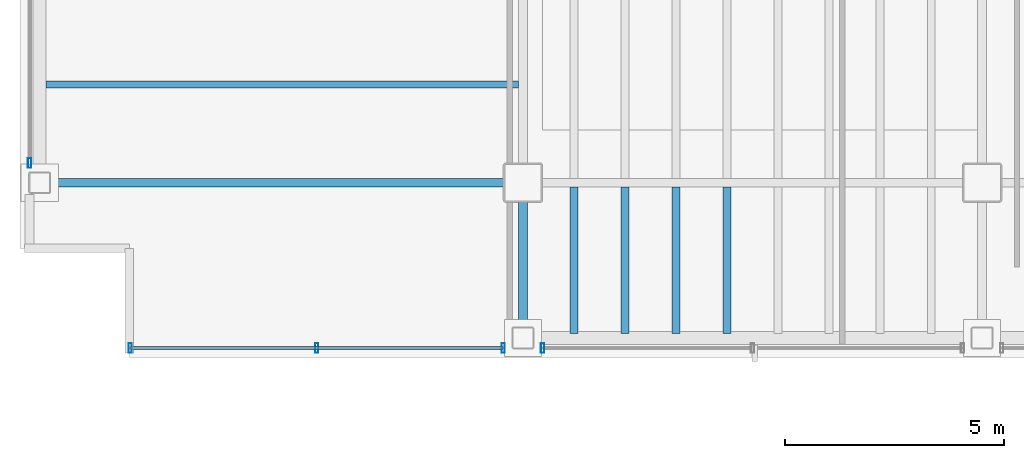
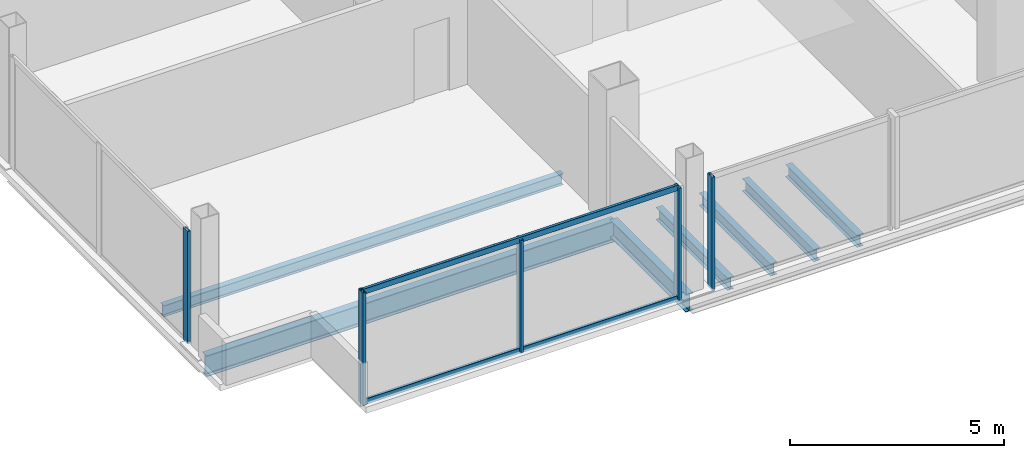
# One storey, part 2 of 19: 7 beams, 7 members, 3 elements without a shape of their own.
"""IFC4 building model written with IfcOpenShell, lengths in metres."""

from ifc_helpers import new_model, si_unit, direction, frame, origin, origin_2d, place, context, subcontext, project, spatial, hollow_rectangle, i_section, extrude, material, material_profile, profile_set, type_object, element, aggregate, save


model = new_model("IFC4")

# Units and contexts
model_context = context("Model", 3, precision=1e-05, world=origin(), true_north=direction((0.0, 1.0)))
body_context = subcontext(model_context, "Body", "Model", "MODEL_VIEW")
ifc_project = project(units=[si_unit("LENGTHUNIT", "METRE"), si_unit("AREAUNIT", "SQUARE_METRE"), si_unit("VOLUMEUNIT", "CUBIC_METRE"), si_unit("PLANEANGLEUNIT", "RADIAN"), si_unit("MASSUNIT", "GRAM", prefix="KILO")], contexts=[model_context])

# Site, building, storey
site_placement = place(None, origin())
site = spatial("IfcSite", under=ifc_project, at=site_placement, CompositionType="ELEMENT")
building_placement = place(site_placement, origin())
building = spatial("IfcBuilding", under=site, at=building_placement, Name="Noeulbin Bourse Tower", CompositionType="ELEMENT")
storey_placement = place(building_placement, frame((0.0, 0.0, 150.0)))
storey = spatial("IfcBuildingStorey", under=building, at=storey_placement, Name="L37", CompositionType="ELEMENT", Elevation=150.0)

# Beams
ifc_material_1 = material(Name="Steel S355", Category="steel")
ifc_material_profile_1 = material_profile(ifc_material_1, i_section(OverallWidth=0.199951171875, OverallDepth=0.5, WebThickness=0.010009765625, FlangeThickness=0.01611328125, FilletRadius=0.02001953125, at=origin_2d()), Name="H-500x200x10x16", Category="LoadBearing")
ifc_profile_set_1 = profile_set([ifc_material_profile_1], Name="Steel S355")
beam_type_1 = type_object("IfcBeamType", Name="BM-GRD-500", PredefinedType="USERDEFINED", material=ifc_profile_set_1)
beam_1_placement = place(storey_placement, frame((13.5, 16.449951171875, -0.429931640625), z_axis=(0.0, 1.0, 0.0), x_axis=(-1.0, 0.0, 0.0)))
element("IfcBeam", 1, at=beam_1_placement, inside=storey, type_object=beam_type_1, Name="Tower Primary Girder NS L37-1.1", ObjectType="GIRDER", PredefinedType="USERDEFINED", context=body_context, shape_type="SweptSolid", body=[
    extrude(i_section(OverallWidth=0.199951171875, OverallDepth=0.5, WebThickness=0.010009765625, FlangeThickness=0.01611328125, FilletRadius=0.02001953125, at=origin_2d()), origin(), (0.0, 0.0, 1.0), 3.550048828125),
])
ifc_material_profile_2 = material_profile(ifc_material_1, i_section(OverallWidth=0.199951171875, OverallDepth=0.60009765625, WebThickness=0.010986328125, FlangeThickness=0.01708984375, FilletRadius=0.02197265625, at=origin_2d()), Name="H-600x200x11x17", Category="LoadBearing")
ifc_profile_set_2 = profile_set([ifc_material_profile_2], Name="Steel S355")
beam_type_2 = type_object("IfcBeamType", Name="BM-GRD-600", PredefinedType="USERDEFINED", material=ifc_profile_set_2)
beam_2_placement = place(storey_placement, frame((2.449951171875, 20.0, -0.47998046875), z_axis=(1.0, 0.0, 0.0), x_axis=(0.0, 1.0, 0.0)))
element("IfcBeam", 2, at=beam_2_placement, inside=storey, type_object=beam_type_2, Name="Tower Primary Girder EW L37-1.1", ObjectType="GIRDER", PredefinedType="USERDEFINED", context=body_context, shape_type="SweptSolid", body=[
    extrude(i_section(OverallWidth=0.199951171875, OverallDepth=0.60009765625, WebThickness=0.010986328125, FlangeThickness=0.01708984375, FilletRadius=0.02197265625, at=origin_2d()), origin(), (0.0, 0.0, 1.0), 11.050048828125),
])
ifc_material_profile_3 = material_profile(ifc_material_1, i_section(OverallWidth=0.159912109375, OverallDepth=0.320068359375, WebThickness=0.006591796875, FlangeThickness=0.010009765625, FilletRadius=0.012939453125, at=origin_2d()), Name="H-320x160x6.5x10", Category="LoadBearing")
ifc_profile_set_3 = profile_set([ifc_material_profile_3], Name="Steel S355")
beam_type_3 = type_object("IfcBeamType", Name="BM-JST-320", PredefinedType="JOIST", material=ifc_profile_set_3)
beam_3_placement = place(storey_placement, frame((2.60009765625, 22.25, -0.340087890625), z_axis=(1.0, 0.0, 0.0), x_axis=(0.0, 1.0, 0.0)))
element("IfcBeam", 3, at=beam_3_placement, inside=storey, type_object=beam_type_3, Name="Wing Composite Joist L37-W70", PredefinedType="JOIST", context=body_context, shape_type="SweptSolid", body=[
    extrude(i_section(OverallWidth=0.159912109375, OverallDepth=0.320068359375, WebThickness=0.006591796875, FlangeThickness=0.010009765625, FilletRadius=0.012939453125, at=origin_2d()), origin(), (0.0, 0.0, 1.0), 10.7998046875),
])
ifc_material_profile_4 = material_profile(ifc_material_1, i_section(OverallWidth=0.175048828125, OverallDepth=0.35009765625, WebThickness=0.007080078125, FlangeThickness=0.010986328125, FilletRadius=0.013916015625, at=origin_2d()), Name="H-350x175x7x11", Category="LoadBearing")
ifc_profile_set_4 = profile_set([ifc_material_profile_4], Name="Steel S355")
beam_type_4 = type_object("IfcBeamType", Name="BM-JST-350", PredefinedType="JOIST", material=ifc_profile_set_4)
for number, where, z_axis, x_axis, name in (
    (4, (14.666748046875, 16.550048828125, -0.35498046875), (0.0, 1.0, 0.0), (-1.0, 0.0, 0.0), "Tower Composite Joist L37-01"),
    (5, (15.833251953125, 16.550048828125, -0.35498046875), (0.0, 1.0, 0.0), (-1.0, 0.0, 0.0), "Tower Composite Joist L37-04"),
    (6, (17.0, 16.550048828125, -0.35498046875), (0.0, 1.0, 0.0), (-1.0, 0.0, 0.0), "Tower Composite Joist L37-07"),
    (7, (18.166748046875, 16.550048828125, -0.35498046875), (0.0, 1.0, 0.0), (-1.0, 0.0, 0.0), "Tower Composite Joist L37-10"),
):
    element("IfcBeam", number, at=place(storey_placement, frame(where, z_axis=z_axis, x_axis=x_axis)), inside=storey, type_object=beam_type_4, Name=name, PredefinedType="JOIST", context=body_context, shape_type="SweptSolid", body=[
        extrude(i_section(OverallWidth=0.175048828125, OverallDepth=0.35009765625, WebThickness=0.007080078125, FlangeThickness=0.010986328125, FilletRadius=0.013916015625, at=origin_2d()), origin(), (0.0, 0.0, 1.0), 3.349853515625),
    ])

# Curtain wall, members
ifc_material_2 = material(Name="Dark Tinted Triple Glazing", Category="glass")
curtain_wall_type = type_object("IfcCurtainWallType", Name="CW-SYS-3", PredefinedType="NOTDEFINED", material=ifc_material_2)
curtain_wall_1_placement = place(storey_placement, origin())
curtain_wall_1 = element("IfcCurtainWall", 8, at=curtain_wall_1_placement, inside=storey, type_object=curtain_wall_type, Name="Unitised Curtain Wall CW-L37-S1-S1", PredefinedType="NOTDEFINED")
ifc_material_3 = material(Name="Anodised Aluminium 6063-T6", Category="aluminium")
ifc_material_profile_5 = material_profile(ifc_material_3, hollow_rectangle(XDim=0.074951171875, YDim=0.219970703125, WallThickness=0.0048828125, InnerFilletRadius=0.00244140625, OuterFilletRadius=0.0048828125, at=origin_2d()), Name="ALU-MULL-75x220x5", Category="LoadBearing")
ifc_profile_set_5 = profile_set([ifc_material_profile_5], Name="Anodised Aluminium 6063-T6")
member_type_1 = type_object("IfcMemberType", Name="CW-SYS-3-MUL", PredefinedType="MULLION", material=ifc_profile_set_5)
member_1_placement = place(storey_placement, frame((4.52001953125, 16.219970703125, -0.02001953125), z_axis=(0.0, 0.0, 1.0), x_axis=(1.0, 0.0, 0.0)))
member_1 = element("IfcMember", 9, at=member_1_placement, type_object=member_type_1, Name="Curtain Wall Mullion CW-L37-S1-S1-M00", PredefinedType="MULLION", context=body_context, shape_type="SweptSolid", body=[
    extrude(hollow_rectangle(XDim=0.074951171875, YDim=0.219970703125, WallThickness=0.0048828125, InnerFilletRadius=0.00244140625, OuterFilletRadius=0.0048828125, at=origin_2d()), origin(), (0.0, 0.0, 1.0), 3.219970703125),
])
member_2_placement = place(storey_placement, frame((8.784912109375, 16.219970703125, -0.02001953125), z_axis=(0.0, 0.0, 1.0), x_axis=(1.0, 0.0, 0.0)))
member_2 = element("IfcMember", 10, at=member_2_placement, type_object=member_type_1, Name="Curtain Wall Mullion CW-L37-S1-S1-M01", PredefinedType="MULLION", context=body_context, shape_type="SweptSolid", body=[
    extrude(hollow_rectangle(XDim=0.074951171875, YDim=0.219970703125, WallThickness=0.0048828125, InnerFilletRadius=0.00244140625, OuterFilletRadius=0.0048828125, at=origin_2d()), origin(), (0.0, 0.0, 1.0), 3.219970703125),
])
member_3_placement = place(storey_placement, frame((13.050048828125, 16.219970703125, -0.02001953125), z_axis=(0.0, 0.0, 1.0), x_axis=(1.0, 0.0, 0.0)))
member_3 = element("IfcMember", 11, at=member_3_placement, type_object=member_type_1, Name="Curtain Wall Mullion CW-L37-S1-S1-M02", PredefinedType="MULLION", context=body_context, shape_type="SweptSolid", body=[
    extrude(hollow_rectangle(XDim=0.074951171875, YDim=0.219970703125, WallThickness=0.0048828125, InnerFilletRadius=0.00244140625, OuterFilletRadius=0.0048828125, at=origin_2d()), origin(), (0.0, 0.0, 1.0), 3.219970703125),
])

# Curtain wall, member
curtain_wall_2_placement = place(storey_placement, origin())
curtain_wall_2 = element("IfcCurtainWall", 12, at=curtain_wall_2_placement, inside=storey, type_object=curtain_wall_type, Name="Unitised Curtain Wall CW-L37-S1-S2", PredefinedType="NOTDEFINED")
member_4_placement = place(storey_placement, frame((13.949951171875, 16.219970703125, -0.02001953125), z_axis=(0.0, 0.0, 1.0), x_axis=(1.0, 0.0, 0.0)))
member_4 = element("IfcMember", 13, at=member_4_placement, type_object=member_type_1, Name="Curtain Wall Mullion CW-L37-S1-S2-M00", PredefinedType="MULLION", context=body_context, shape_type="SweptSolid", body=[
    extrude(hollow_rectangle(XDim=0.074951171875, YDim=0.219970703125, WallThickness=0.0048828125, InnerFilletRadius=0.00244140625, OuterFilletRadius=0.0048828125, at=origin_2d()), origin(), (0.0, 0.0, 1.0), 3.219970703125),
])
aggregate(curtain_wall_2, [member_4])

curtain_wall_3_placement = place(storey_placement, origin())
curtain_wall_3 = element("IfcCurtainWall", 14, at=curtain_wall_3_placement, inside=storey, type_object=curtain_wall_type, Name="Unitised Curtain Wall CW-L37-W-S1", PredefinedType="NOTDEFINED")
member_5_placement = place(storey_placement, frame((2.219970703125, 20.449951171875, -0.02001953125), z_axis=(0.0, 0.0, 1.0), x_axis=(1.0, 0.0, 0.0)))
member_5 = element("IfcMember", 15, at=member_5_placement, type_object=member_type_1, Name="Curtain Wall Mullion CW-L37-W-S1-M00", PredefinedType="MULLION", context=body_context, shape_type="SweptSolid", body=[
    extrude(hollow_rectangle(XDim=0.074951171875, YDim=0.219970703125, WallThickness=0.0048828125, InnerFilletRadius=0.00244140625, OuterFilletRadius=0.0048828125, at=origin_2d()), origin(), (0.0, 0.0, 1.0), 3.219970703125),
])
aggregate(curtain_wall_3, [member_5])

# Member
ifc_material_profile_6 = material_profile(ifc_material_3, hollow_rectangle(XDim=0.074951171875, YDim=0.159912109375, WallThickness=0.0048828125, InnerFilletRadius=0.00244140625, OuterFilletRadius=0.0048828125, at=origin_2d()), Name="ALU-TRAN-75x160x5", Category="LoadBearing")
ifc_profile_set_6 = profile_set([ifc_material_profile_6], Name="Anodised Aluminium 6063-T6")
member_type_2 = type_object("IfcMemberType", Name="CW-SYS-3-TRN", PredefinedType="USERDEFINED", material=ifc_profile_set_6)
member_6_placement = place(storey_placement, frame((4.530029296875, 16.219970703125, 0.010009765625), z_axis=(1.0, 0.0, 0.0), x_axis=(0.0, 1.0, 0.0)))
member_6 = element("IfcMember", 16, at=member_6_placement, type_object=member_type_2, Name="Curtain Wall Transom CW-L37-S1-S1-T00", ObjectType="TRANSOM", PredefinedType="USERDEFINED", context=body_context, shape_type="SweptSolid", body=[
    extrude(hollow_rectangle(XDim=0.074951171875, YDim=0.159912109375, WallThickness=0.0048828125, InnerFilletRadius=0.00244140625, OuterFilletRadius=0.0048828125, at=origin_2d()), origin(), (0.0, 0.0, 1.0), 8.510009765625),
])

member_7_placement = place(storey_placement, frame((4.530029296875, 16.219970703125, 3.169921875), z_axis=(1.0, 0.0, 0.0), x_axis=(0.0, 1.0, 0.0)))
member_7 = element("IfcMember", 17, at=member_7_placement, type_object=member_type_2, Name="Curtain Wall Transom CW-L37-S1-S1-T01", ObjectType="TRANSOM", PredefinedType="USERDEFINED", context=body_context, shape_type="SweptSolid", body=[
    extrude(hollow_rectangle(XDim=0.074951171875, YDim=0.159912109375, WallThickness=0.0048828125, InnerFilletRadius=0.00244140625, OuterFilletRadius=0.0048828125, at=origin_2d()), origin(), (0.0, 0.0, 1.0), 8.510009765625),
])

aggregate(curtain_wall_1, [member_1, member_2, member_3, member_6, member_7])

save(model, "model.ifc")
